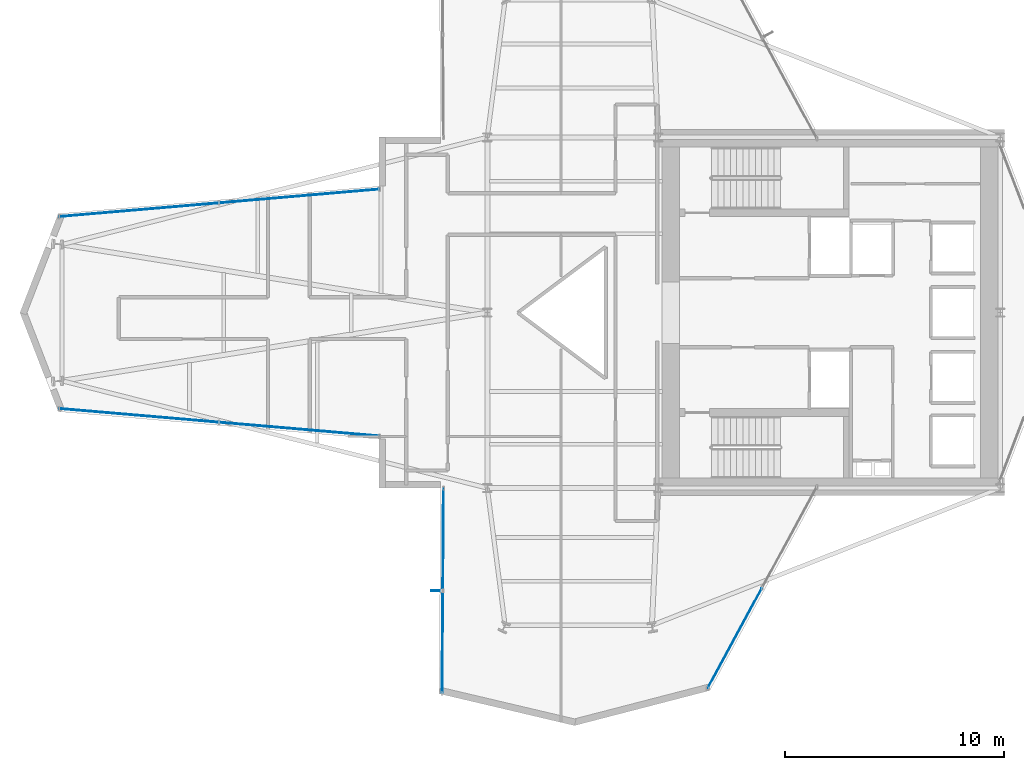
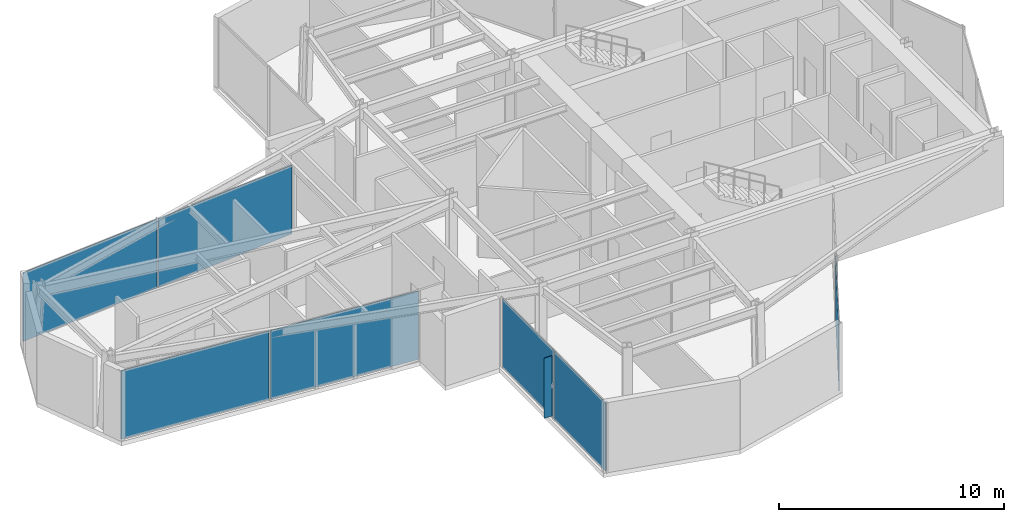
# One storey, part 20 of 26: 8 plates, 4 elements without a shape of their own.
"""IFC4 building model written with IfcOpenShell, lengths in metres."""

import ifcopenshell
import ifcopenshell.guid

model = None  # the IFC model being written
_history = None  # IfcOwnerHistory: only IFC2X3 demands one
_inside = {}  # id of a spatial element -> (the spatial element, [elements in it])
_under = {}  # id of a project, library or spatial element -> (it, [spatial elements below it])
_declared = {}  # id of a project -> (the project, [libraries it declares])
_typed = {}  # id of a type object -> (the type object, [elements of that type])
_made_of = {}  # id of a material, layer set ... -> (it, [elements and type objects made of it])


def new_model(schema):
    """Start an empty IFC model of exactly this schema.

    Asked for "IFC4X3", IfcOpenShell would pick the latest addendum, in which some entities
    have other attributes; the version numbers below select the first issue.
    IFC2X3 requires an IfcOwnerHistory on every rooted entity: one is made here for all.
    """
    global model, _history
    if schema == "IFC4X3":
        model = ifcopenshell.file(schema_version=(4, 3, 0, 0))
    else:
        model = ifcopenshell.file(schema=schema)
    _inside.clear()
    _under.clear()
    _declared.clear()
    _typed.clear()
    _made_of.clear()
    _history = None
    if model.schema == "IFC2X3":
        org = make("IfcOrganization", Name="unknown")
        user = make(
            "IfcPersonAndOrganization",
            ThePerson=make("IfcPerson", FamilyName="unknown"),
            TheOrganization=org,
        )
        app = make(
            "IfcApplication",
            ApplicationDeveloper=org,
            Version="unknown",
            ApplicationFullName="unknown",
            ApplicationIdentifier="unknown",
        )
        _history = make(
            "IfcOwnerHistory",
            OwningUser=user,
            OwningApplication=app,
            ChangeAction="ADDED",
            CreationDate=0,
        )
    return model


def make(cls, **values):
    """One entity of the class cls with the attributes given. An attribute that is None is left unset."""
    return model.create_entity(
        cls, **{name: value for name, value in values.items() if value is not None}
    )


def rooted(cls, **values):
    """An entity with a GlobalId (a new one), such as an element, a storey or a relation."""
    return make(cls, GlobalId=ifcopenshell.guid.new(), OwnerHistory=_history, **values)


def si_unit(unit_type, name, prefix=None):
    """IfcSIUnit, for example si_unit("LENGTHUNIT", "METRE", prefix="MILLI")."""
    return make("IfcSIUnit", UnitType=unit_type, Prefix=prefix, Name=name)


def assignment(units):
    """IfcUnitAssignment: the units of a project."""
    return None if units is None else make("IfcUnitAssignment", Units=units)


def point(xyz):
    """IfcCartesianPoint."""
    return None if xyz is None else make("IfcCartesianPoint", Coordinates=xyz)


def direction(xyz):
    """IfcDirection."""
    return None if xyz is None else make("IfcDirection", DirectionRatios=xyz)


def frame(location, z_axis=None, x_axis=None):
    """IfcAxis2Placement3D, a coordinate frame: its origin and axes. An axis left out is left unset."""
    return make(
        "IfcAxis2Placement3D",
        Location=point(location),
        Axis=direction(z_axis),
        RefDirection=direction(x_axis),
    )


def frame_2d(location, x_axis=None):
    """IfcAxis2Placement2D, a coordinate frame in the plane: its origin and x axis."""
    return make(
        "IfcAxis2Placement2D", Location=point(location), RefDirection=direction(x_axis)
    )


def origin():
    """The frame at (0, 0, 0) with its axes left unset."""
    return frame((0.0, 0.0, 0.0))


def origin_2d():
    """The frame at (0, 0) in the plane with its x axis left unset."""
    return frame_2d((0.0, 0.0))


def place(relative_to, where):
    """IfcLocalPlacement: puts the frame where relative to a parent placement (None: the world)."""
    return make(
        "IfcLocalPlacement", PlacementRelTo=relative_to, RelativePlacement=where
    )


def context(
    kind, dimensions, precision=None, world=None, true_north=None, identifier=None
):
    """IfcGeometricRepresentationContext, for example the 3D "Model" context."""
    return make(
        "IfcGeometricRepresentationContext",
        ContextIdentifier=identifier,
        ContextType=kind,
        CoordinateSpaceDimension=dimensions,
        Precision=precision,
        WorldCoordinateSystem=world,
        TrueNorth=true_north,
    )


def subcontext(parent, identifier, kind, view, scale=None):
    """IfcGeometricRepresentationSubContext, for example "Body" below "Model"."""
    return make(
        "IfcGeometricRepresentationSubContext",
        ContextIdentifier=identifier,
        ContextType=kind,
        ParentContext=parent,
        TargetScale=scale,
        TargetView=view,
    )


def project(units=None, contexts=None):
    """IfcProject with its units and contexts."""
    return rooted(
        "IfcProject",
        Name="project",
        RepresentationContexts=contexts,
        UnitsInContext=assignment(units),
    )


def spatial(cls, under=None, at=None, **own):
    """A site, building, storey or space (cls), placed at a placement, below another one or the project."""
    s = rooted(cls, ObjectPlacement=at, **own)
    if under is not None:
        _under.setdefault(under.id(), (under, []))[1].append(s)
    return s


def profile(cls, at=None, kind="AREA", **sizes):
    """A parametric profile (cls). Its sizes go by their IFC names, for example OverallWidth=200.0."""
    return make(cls, ProfileType=kind, Position=at, **sizes)


def rectangle(**sizes):
    """IfcRectangleProfileDef."""
    return profile("IfcRectangleProfileDef", **sizes)


def extrude(swept, where, along, depth):
    """IfcExtrudedAreaSolid: the profile swept, set in the frame where, extruded along a direction by depth."""
    return make(
        "IfcExtrudedAreaSolid",
        SweptArea=swept,
        Position=where,
        ExtrudedDirection=direction(along),
        Depth=depth,
    )


def shape(context_of_items, identifier, shape_type, items):
    """IfcShapeRepresentation: the items that make up one representation, for example the "Body"."""
    return make(
        "IfcShapeRepresentation",
        ContextOfItems=context_of_items,
        RepresentationIdentifier=identifier,
        RepresentationType=shape_type,
        Items=items,
    )


def material(Name=None, Category=None):
    """IfcMaterial."""
    return make("IfcMaterial", Name=Name, Category=Category)


def layer(
    of_material, thickness, ventilated=None, Name=None, Category=None, Priority=None
):
    """IfcMaterialLayer: one layer of a wall or slab, of a material (None: an air gap)."""
    return make(
        "IfcMaterialLayer",
        Material=of_material,
        LayerThickness=thickness,
        IsVentilated=ventilated,
        Name=Name,
        Category=Category,
        Priority=Priority,
    )


def layer_set(layers, Name=None):
    """IfcMaterialLayerSet."""
    return make("IfcMaterialLayerSet", MaterialLayers=layers, LayerSetName=Name)


def made_of(thing, what):
    """Note that an element or type object is made of a material, layer set ...; save() writes the relation."""
    if what is not None:
        _made_of.setdefault(what.id(), (what, []))[1].append(thing)
    return thing


def type_object(cls, material=None, **own):
    """A type object (cls), such as IfcWallType, which elements share."""
    return made_of(rooted(cls, **own), material)


def element(
    cls,
    number,
    at=None,
    inside=None,
    cuts=None,
    type_object=None,
    material=None,
    context=None,
    identifier="Body",
    shape_type=None,
    held_by="IfcProductDefinitionShape",
    body=None,
    shapes=None,
    **own,
):
    """One element of the class cls, such as IfcWall. Its Tag is "e" and its number.

    at: its placement. inside: the storey or other place that contains it. cuts: it is an
    opening in that element (IfcRelVoidsElement). A single representation is given by context,
    identifier, shape_type and body (its items); several are given by shapes. held_by: the class
    of the entity that holds the representations. save() writes the other relations.
    """
    e = rooted(cls, Tag="e%d" % number, ObjectPlacement=at, **own)
    if body is not None:
        shapes = [shape(context, identifier, shape_type, body)]
    if shapes is not None:
        e.Representation = make(held_by, Representations=shapes)
    if inside is not None:
        _inside.setdefault(inside.id(), (inside, []))[1].append(e)
    if cuts is not None:
        rooted(
            "IfcRelVoidsElement", RelatingBuildingElement=cuts, RelatedOpeningElement=e
        )
    if type_object is not None:
        _typed.setdefault(type_object.id(), (type_object, []))[1].append(e)
    return made_of(e, material)


def aggregate(whole, parts):
    """IfcRelAggregates: a whole, such as a stair, and the parts it consists of."""
    return rooted("IfcRelAggregates", RelatingObject=whole, RelatedObjects=parts)


def save(model, path):
    """Write the relations noted so far, then the file.

    IfcRelAggregates (storeys below a building ...), IfcRelContainedInSpatialStructure (elements
    in a storey), IfcRelDefinesByType, IfcRelAssociatesMaterial and IfcRelDeclares: one each for
    every whole, place, type object, material and project.
    """
    for whole, parts in _under.values():
        aggregate(whole, parts)
    for where, things in _inside.values():
        rooted(
            "IfcRelContainedInSpatialStructure",
            RelatedElements=things,
            RelatingStructure=where,
        )
    for kind, things in _typed.values():
        rooted("IfcRelDefinesByType", RelatedObjects=things, RelatingType=kind)
    for what, things in _made_of.values():
        rooted("IfcRelAssociatesMaterial", RelatedObjects=things, RelatingMaterial=what)
    for by, libraries in _declared.values():
        rooted("IfcRelDeclares", RelatingContext=by, RelatedDefinitions=libraries)
    model.write(path)


model = new_model("IFC4")

# Units and contexts
model_context = context("Model", 3, precision=1e-05, world=origin(), true_north=direction((0.0, 1.0)))
body_context = subcontext(model_context, "Body", "Model", "MODEL_VIEW")
ifc_project = project(units=[si_unit("LENGTHUNIT", "METRE"), si_unit("AREAUNIT", "SQUARE_METRE"), si_unit("VOLUMEUNIT", "CUBIC_METRE"), si_unit("PLANEANGLEUNIT", "RADIAN"), si_unit("MASSUNIT", "GRAM", prefix="KILO")], contexts=[model_context])

# Site, building, storey
site_placement = place(None, origin())
site = spatial("IfcSite", under=ifc_project, at=site_placement, CompositionType="ELEMENT")
building_placement = place(site_placement, origin())
building = spatial("IfcBuilding", under=site, at=building_placement, Name="Veymaron Broadcast Tower", CompositionType="ELEMENT")
storey_placement = place(building_placement, frame((0.0, 0.0, 157.35009765625)))
storey = spatial("IfcBuildingStorey", under=building, at=storey_placement, Name="L36", CompositionType="ELEMENT", Elevation=157.35009765625)

# Curtain wall, plates
ifc_material_1 = material(Name="Anodised aluminium AA 6063-T6 and laminated low-E dark glass", Category="aluminium")
ifc_layer_1 = layer(ifc_material_1, 0.179931640625)
ifc_layer_set_1 = layer_set([ifc_layer_1], Name="Anodised aluminium AA 6063-T6 and laminated low-E dark glass")
curtain_wall_type = type_object("IfcCurtainWallType", Name="CW-SYS-03", PredefinedType="NOTDEFINED", material=ifc_layer_set_1)
curtain_wall_1_placement = place(storey_placement, origin())
curtain_wall_1 = element("IfcCurtainWall", 1, at=curtain_wall_1_placement, inside=storey, type_object=curtain_wall_type, Name="L36 dark-glass curtain wall CW-L36-E11-1", PredefinedType="NOTDEFINED")
ifc_material_2 = material(Name="Insulated dark-anodised aluminium spandrel panel 40 mm", Category="aluminium")
ifc_layer_2 = layer(ifc_material_2, 0.0400390625)
ifc_layer_set_2 = layer_set([ifc_layer_2], Name="Insulated dark-anodised aluminium spandrel panel 40 mm")
plate_type_1 = type_object("IfcPlateType", Name="CW-PNL-03", PredefinedType="CURTAIN_PANEL", material=ifc_layer_set_2)
plate_1_placement = place(storey_placement, frame((22.624755859375, 29.3173828125, 0.039794921875), z_axis=(0.0, 0.0, 1.0), x_axis=(-0.996342313971, -0.085451702097, 0.0)))
plate_1 = element("IfcPlate", 2, at=plate_1_placement, type_object=plate_type_1, Name="CW-L36-E11-1 unitised curtain panel 0", PredefinedType="CURTAIN_PANEL", context=body_context, shape_type="SweptSolid", body=[
    extrude(rectangle(XDim=7.281982421875, YDim=0.0400390625, at=origin_2d()), origin(), (0.0, 0.0, 1.0), 3.72998046875),
])
plate_2_placement = place(storey_placement, frame((15.3095703125, 28.690185546875, 0.039794921875), z_axis=(0.0, 0.0, 1.0), x_axis=(-0.996342313971, -0.085451702097, 0.0)))
plate_2 = element("IfcPlate", 3, at=plate_2_placement, type_object=plate_type_1, Name="CW-L36-E11-1 unitised curtain panel 1", PredefinedType="CURTAIN_PANEL", context=body_context, shape_type="SweptSolid", body=[
    extrude(rectangle(XDim=7.281982421875, YDim=0.0400390625, at=origin_2d()), origin(), (0.0, 0.0, 1.0), 3.72998046875),
])
aggregate(curtain_wall_1, [plate_1, plate_2])

curtain_wall_2_placement = place(storey_placement, origin())
curtain_wall_2 = element("IfcCurtainWall", 4, at=curtain_wall_2_placement, inside=storey, type_object=curtain_wall_type, Name="L36 dark-glass curtain wall CW-L36-E14-1", PredefinedType="NOTDEFINED")
plate_3_placement = place(storey_placement, frame((15.3095703125, 19.309814453125, 0.039794921875), z_axis=(0.0, 0.0, 1.0), x_axis=(0.996342313971, -0.085451702097, 0.0)))
plate_3 = element("IfcPlate", 5, at=plate_3_placement, type_object=plate_type_1, Name="CW-L36-E14-1 unitised curtain panel 0", PredefinedType="CURTAIN_PANEL", context=body_context, shape_type="SweptSolid", body=[
    extrude(rectangle(XDim=7.281982421875, YDim=0.0400390625, at=origin_2d()), origin(), (0.0, 0.0, 1.0), 3.72998046875),
])
plate_4_placement = place(storey_placement, frame((22.624755859375, 18.6826171875, 0.039794921875), z_axis=(0.0, 0.0, 1.0), x_axis=(0.996342313971, -0.085451702097, 0.0)))
plate_4 = element("IfcPlate", 6, at=plate_4_placement, type_object=plate_type_1, Name="CW-L36-E14-1 unitised curtain panel 1", PredefinedType="CURTAIN_PANEL", context=body_context, shape_type="SweptSolid", body=[
    extrude(rectangle(XDim=7.281982421875, YDim=0.0400390625, at=origin_2d()), origin(), (0.0, 0.0, 1.0), 3.72998046875),
])
aggregate(curtain_wall_2, [plate_3, plate_4])

curtain_wall_3_placement = place(storey_placement, origin())
curtain_wall_3 = element("IfcCurtainWall", 7, at=curtain_wall_3_placement, inside=storey, type_object=curtain_wall_type, Name="L36 dark-glass curtain wall CW-L36-E17-1", PredefinedType="NOTDEFINED")
plate_5_placement = place(storey_placement, frame((29.18896484375, 13.65576171875, 0.039794921875), z_axis=(0.0, 0.0, 1.0), x_axis=(-0.006824184408, -0.999976714982, 0.0)))
plate_5 = element("IfcPlate", 8, at=plate_5_placement, type_object=plate_type_1, Name="CW-L36-E17-1 unitised curtain panel 0", PredefinedType="CURTAIN_PANEL", context=body_context, shape_type="SweptSolid", body=[
    extrude(rectangle(XDim=4.62646484375, YDim=0.0400390625, at=origin_2d()), origin(), (0.0, 0.0, 1.0), 3.72998046875),
])
plate_6_placement = place(storey_placement, frame((29.156982421875, 8.969482421875, 0.039794921875), z_axis=(0.0, 0.0, 1.0), x_axis=(-0.006824184408, -0.999976714982, 0.0)))
plate_6 = element("IfcPlate", 9, at=plate_6_placement, type_object=plate_type_1, Name="CW-L36-E17-1 unitised curtain panel 1", PredefinedType="CURTAIN_PANEL", context=body_context, shape_type="SweptSolid", body=[
    extrude(rectangle(XDim=4.62646484375, YDim=0.0400390625, at=origin_2d()), origin(), (0.0, 0.0, 1.0), 3.72998046875),
])
aggregate(curtain_wall_3, [plate_5, plate_6])

# Curtain wall, plate
curtain_wall_4_placement = place(storey_placement, origin())
curtain_wall_4 = element("IfcCurtainWall", 10, at=curtain_wall_4_placement, inside=storey, type_object=curtain_wall_type, Name="L36 dark-glass curtain wall CW-L36-E20-1", PredefinedType="NOTDEFINED")
plate_7_placement = place(storey_placement, frame((42.48876953125, 9.146484375, 0.039794921875), z_axis=(0.0, 0.0, 1.0), x_axis=(0.476821283546, 0.879000263685, 0.0)))
plate_7 = element("IfcPlate", 11, at=plate_7_placement, type_object=plate_type_1, Name="CW-L36-E20-1 unitised curtain panel 0", PredefinedType="CURTAIN_PANEL", context=body_context, shape_type="SweptSolid", body=[
    extrude(rectangle(XDim=5.188720703125, YDim=0.0400390625, at=origin_2d()), origin(), (0.0, 0.0, 1.0), 3.72998046875),
])
aggregate(curtain_wall_4, [plate_7])

# Plate
ifc_material_3 = material(Name="Dark-anodised aluminium AA 6061-T6", Category="aluminium")
ifc_layer_3 = layer(ifc_material_3, 0.031982421875)
ifc_layer_set_3 = layer_set([ifc_layer_3], Name="Dark-anodised aluminium AA 6061-T6")
plate_type_2 = type_object("IfcPlateType", Name="FIN-CHEV-03", PredefinedType="USERDEFINED", material=ifc_layer_set_3)
plate_8_placement = place(storey_placement, frame((28.843017578125, 11.314697265625, 0.2666015625), z_axis=(0.0, 0.0, 1.0), x_axis=(-0.999976714982, 0.006824184408, 0.0)))
element("IfcPlate", 12, at=plate_8_placement, inside=storey, type_object=plate_type_2, Name="CW-L36-E17-1 chevron fin 1", ObjectType="FIN", PredefinedType="USERDEFINED", context=body_context, shape_type="SweptSolid", body=[
    extrude(rectangle(XDim=0.39990234375, YDim=0.034912109375, at=origin_2d()), origin(), (0.0, 0.0, 1.0), 3.276611328125),
])

save(model, "model.ifc")
